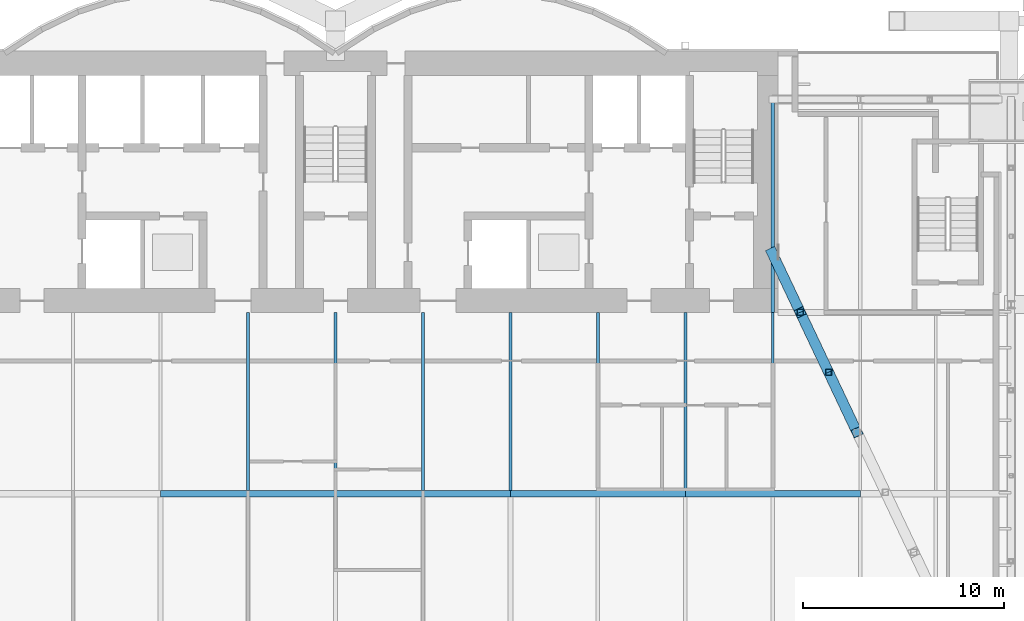
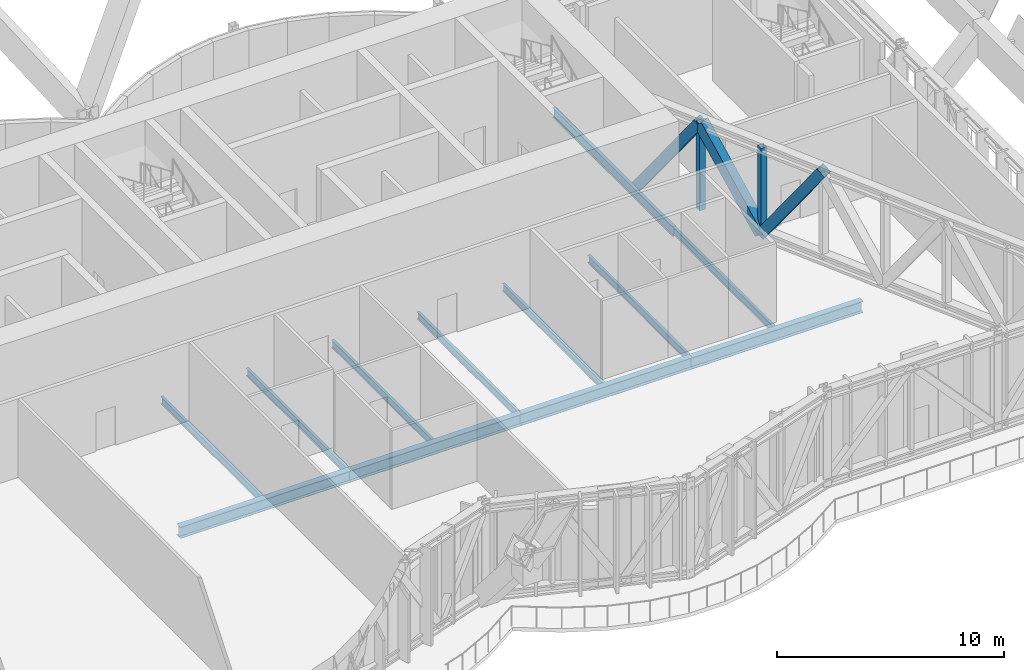
# One storey, part 12 of 32: 12 beams, 5 members.
"""IFC4 building model written with IfcOpenShell, lengths in metres."""

from ifc_helpers import new_model, si_unit, direction, frame, origin, origin_2d, place, context, subcontext, project, spatial, hollow_rectangle, i_section, extrude, material, material_profile, profile_set, type_object, element, save


model = new_model("IFC4")

# Units and contexts
model_context = context("Model", 3, precision=1e-05, world=origin(), true_north=direction((0.0, 1.0)))
body_context = subcontext(model_context, "Body", "Model", "MODEL_VIEW")
ifc_project = project(units=[si_unit("LENGTHUNIT", "METRE"), si_unit("AREAUNIT", "SQUARE_METRE"), si_unit("VOLUMEUNIT", "CUBIC_METRE"), si_unit("PLANEANGLEUNIT", "RADIAN"), si_unit("MASSUNIT", "GRAM", prefix="KILO")], contexts=[model_context])

# Site, building, storey
site_placement = place(None, origin())
site = spatial("IfcSite", under=ifc_project, at=site_placement, CompositionType="ELEMENT")
building_placement = place(site_placement, origin())
building = spatial("IfcBuilding", under=site, at=building_placement, Name="Bicima Exchange Tower", CompositionType="ELEMENT")
storey_placement = place(building_placement, frame((0.0, 0.0, 135.0)))
storey = spatial("IfcBuildingStorey", under=building, at=storey_placement, Name="L29", CompositionType="ELEMENT", Elevation=135.0)

# Beams
ifc_material_1 = material(Name="Steel ASTM A992 Gr 50", Category="steel")
ifc_material_profile_1 = material_profile(ifc_material_1, i_section(OverallWidth=0.140380859375, OverallDepth=0.40380859375, WebThickness=0.007080078125, FlangeThickness=0.01123046875, at=origin_2d()))
ifc_profile_set_1 = profile_set([ifc_material_profile_1], Name="Steel ASTM A992 Gr 50")
beam_type_1 = type_object("IfcBeamType", Name="Floor beam W16x31", PredefinedType="JOIST", material=ifc_profile_set_1)
for number, where, z_axis, x_axis, name in (
    (1, (-4.35009765625, -13.0, -0.40185546875), (0.0, -1.0, 0.0), (1.0, 0.0, 0.0), "Floor beam"),
    (2, (0.0, -13.0, -0.40185546875), (0.0, -1.0, 0.0), (1.0, 0.0, 0.0), "Floor beam"),
    (3, (4.35009765625, -13.0, -0.40185546875), (0.0, -1.0, 0.0), (1.0, 0.0, 0.0), "Floor beam"),
    (4, (8.699951171875, -13.0, -0.40185546875), (0.0, -1.0, 0.0), (1.0, 0.0, 0.0), "Floor beam"),
    (5, (13.050048828125, -13.0, -0.40185546875), (0.0, -1.0, 0.0), (1.0, 0.0, 0.0), "Floor beam"),
    (6, (17.39990234375, -13.0, -0.40185546875), (0.0, -1.0, 0.0), (1.0, 0.0, 0.0), "Floor beam"),
    (7, (21.75, -13.0, -0.40185546875), (0.0, -1.0, 0.0), (1.0, 0.0, 0.0), "Floor beam"),
):
    element("IfcBeam", number, at=place(storey_placement, frame(where, z_axis=z_axis, x_axis=x_axis)), inside=storey, type_object=beam_type_1, Name=name, PredefinedType="JOIST", context=body_context, shape_type="SweptSolid", body=[
        extrude(i_section(OverallWidth=0.140380859375, OverallDepth=0.40380859375, WebThickness=0.007080078125, FlangeThickness=0.01123046875, at=origin_2d()), origin(), (0.0, 0.0, 1.0), 8.83740234375),
    ])
ifc_material_profile_2 = material_profile(ifc_material_1, i_section(OverallWidth=0.165771484375, OverallDepth=0.5283203125, WebThickness=0.009765625, FlangeThickness=0.013671875, at=origin_2d()))
ifc_profile_set_2 = profile_set([ifc_material_profile_2], Name="Steel ASTM A992 Gr 50")
beam_type_2 = type_object("IfcBeamType", Name="Floor beam W21x50", PredefinedType="JOIST", material=ifc_profile_set_2)
beam_1_placement = place(storey_placement, frame((21.75, -2.39990234375, -0.464111328125), z_axis=(0.0, -1.0, 0.0), x_axis=(1.0, 0.0, 0.0)))
element("IfcBeam", 8, at=beam_1_placement, inside=storey, type_object=beam_type_2, Name="Floor beam", PredefinedType="JOIST", context=body_context, shape_type="SweptSolid", body=[
    extrude(i_section(OverallWidth=0.165771484375, OverallDepth=0.5283203125, WebThickness=0.009765625, FlangeThickness=0.013671875, at=origin_2d()), origin(), (0.0, 0.0, 1.0), 10.60009765625),
])

# Members
ifc_material_2 = material(Name="Steel ASTM A572 Gr 50", Category="steel")
ifc_material_profile_3 = material_profile(ifc_material_2, hollow_rectangle(XDim=0.508056640625, YDim=0.508056640625, WallThickness=0.017822265625, at=origin_2d()))
ifc_profile_set_3 = profile_set([ifc_material_profile_3], Name="Steel ASTM A572 Gr 50")
member_type_1 = type_object("IfcMemberType", Name="Outrigger truss diagonal HSS20x20x3/4", PredefinedType="STRUT", material=ifc_profile_set_3)
for number, where, z_axis, x_axis, name in (
    (9, (21.699951171875, -10.0, 0.284423828125), (0.246620818769, -0.520819181566, 0.817267123934), (0.903793556937, 0.427968697965, 0.0), "Truss diagonal"),
    (10, (23.112548828125, -12.983154296875, 4.965576171875), (0.24657531281, -0.520855716946, -0.817257570927), (0.90383570832, 0.427879670428, 0.0), "Truss diagonal"),
    (11, (24.52490234375, -15.966552734375, 0.284423828125), (0.246620818769, -0.520819181566, 0.817267123934), (0.903793556937, 0.427968697965, 0.0), "Truss diagonal"),
):
    element("IfcMember", number, at=place(storey_placement, frame(where, z_axis=z_axis, x_axis=x_axis)), inside=storey, type_object=member_type_1, Name=name, PredefinedType="STRUT", context=body_context, shape_type="SweptSolid", body=[
        extrude(hollow_rectangle(XDim=0.508056640625, YDim=0.508056640625, WallThickness=0.017822265625, at=origin_2d()), origin(), (0.0, 0.0, 1.0), 5.727783203125),
    ])
ifc_material_profile_4 = material_profile(ifc_material_2, hollow_rectangle(XDim=0.3046875, YDim=0.3046875, WallThickness=0.01171875, at=origin_2d()))
ifc_profile_set_4 = profile_set([ifc_material_profile_4], Name="Steel ASTM A572 Gr 50")
member_type_2 = type_object("IfcMemberType", Name="Outrigger truss post HSS12x12x1/2", PredefinedType="POST", material=ifc_profile_set_4)
for number, where, z_axis, x_axis, name in (
    (12, (23.112548828125, -12.983154296875, 0.284423828125), (0.0, 0.0, 1.0), (1.0, 0.0, 0.0), "Truss post"),
    (13, (24.52490234375, -15.966552734375, 0.284423828125), (0.0, 0.0, 1.0), (1.0, 0.0, 0.0), "Truss post"),
):
    element("IfcMember", number, at=place(storey_placement, frame(where, z_axis=z_axis, x_axis=x_axis)), inside=storey, type_object=member_type_2, Name=name, PredefinedType="POST", context=body_context, shape_type="SweptSolid", body=[
        extrude(hollow_rectangle(XDim=0.3046875, YDim=0.3046875, WallThickness=0.01171875, at=origin_2d()), origin(), (0.0, 0.0, 1.0), 4.68115234375),
    ])

# Beams
ifc_material_profile_5 = material_profile(ifc_material_1, i_section(OverallWidth=0.3251953125, OverallDepth=0.612060546875, WebThickness=0.0126953125, FlangeThickness=0.01904296875, at=origin_2d()))
ifc_profile_set_5 = profile_set([ifc_material_profile_5], Name="Steel ASTM A992 Gr 50")
beam_type_3 = type_object("IfcBeamType", Name="Row girder W24x104", PredefinedType="BEAM", material=ifc_profile_set_5)
for number, where, z_axis, x_axis, name in (
    (14, (-8.699951171875, -22.0, -0.506103515625), (1.0, 0.0, 0.0), (0.0, 1.0, 0.0), "Row girder"),
    (15, (0.0, -22.0, -0.506103515625), (1.0, 0.0, 0.0), (0.0, 1.0, 0.0), "Row girder"),
    (16, (8.699951171875, -22.0, -0.506103515625), (1.0, 0.0, 0.0), (0.0, 1.0, 0.0), "Row girder"),
):
    element("IfcBeam", number, at=place(storey_placement, frame(where, z_axis=z_axis, x_axis=x_axis)), inside=storey, type_object=beam_type_3, Name=name, PredefinedType="BEAM", context=body_context, shape_type="SweptSolid", body=[
        extrude(i_section(OverallWidth=0.3251953125, OverallDepth=0.612060546875, WebThickness=0.0126953125, FlangeThickness=0.01904296875, at=origin_2d()), origin(), (0.0, 0.0, 1.0), 8.699951171875),
    ])
beam_2_placement = place(storey_placement, frame((17.39990234375, -22.0, -0.506103515625), z_axis=(1.0, 0.0, 0.0), x_axis=(0.0, 1.0, 0.0)))
element("IfcBeam", 17, at=beam_2_placement, inside=storey, type_object=beam_type_3, Name="Row girder", PredefinedType="BEAM", context=body_context, shape_type="SweptSolid", body=[
    extrude(i_section(OverallWidth=0.3251953125, OverallDepth=0.612060546875, WebThickness=0.0126953125, FlangeThickness=0.01904296875, at=origin_2d()), origin(), (0.0, 0.0, 1.0), 8.7001953125),
])

save(model, "model.ifc")
